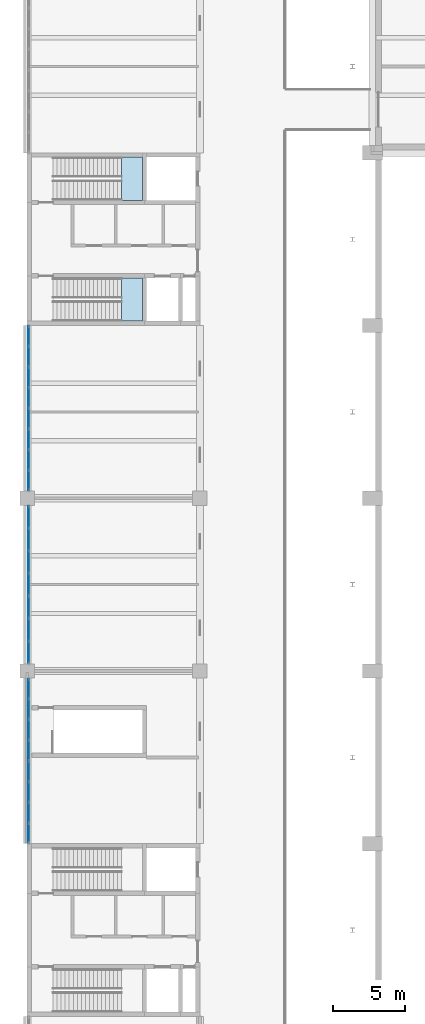
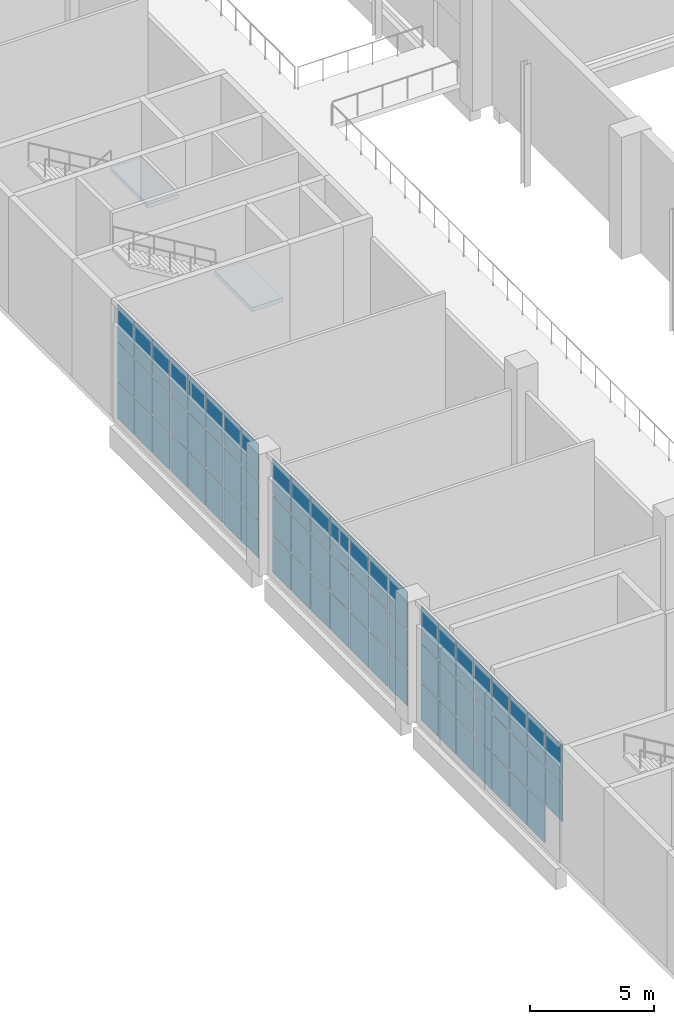
# One storey, part 41 of 72: 68 plates, 2 slabs, 5 elements without a shape of their own.
"""IFC4 building model written with IfcOpenShell, lengths in metres."""

import ifcopenshell
import ifcopenshell.guid

model = None  # the IFC model being written
_history = None  # IfcOwnerHistory: only IFC2X3 demands one
_inside = {}  # id of a spatial element -> (the spatial element, [elements in it])
_under = {}  # id of a project, library or spatial element -> (it, [spatial elements below it])
_declared = {}  # id of a project -> (the project, [libraries it declares])
_typed = {}  # id of a type object -> (the type object, [elements of that type])
_made_of = {}  # id of a material, layer set ... -> (it, [elements and type objects made of it])


def new_model(schema):
    """Start an empty IFC model of exactly this schema.

    Asked for "IFC4X3", IfcOpenShell would pick the latest addendum, in which some entities
    have other attributes; the version numbers below select the first issue.
    IFC2X3 requires an IfcOwnerHistory on every rooted entity: one is made here for all.
    """
    global model, _history
    if schema == "IFC4X3":
        model = ifcopenshell.file(schema_version=(4, 3, 0, 0))
    else:
        model = ifcopenshell.file(schema=schema)
    _inside.clear()
    _under.clear()
    _declared.clear()
    _typed.clear()
    _made_of.clear()
    _history = None
    if model.schema == "IFC2X3":
        org = make("IfcOrganization", Name="unknown")
        user = make(
            "IfcPersonAndOrganization",
            ThePerson=make("IfcPerson", FamilyName="unknown"),
            TheOrganization=org,
        )
        app = make(
            "IfcApplication",
            ApplicationDeveloper=org,
            Version="unknown",
            ApplicationFullName="unknown",
            ApplicationIdentifier="unknown",
        )
        _history = make(
            "IfcOwnerHistory",
            OwningUser=user,
            OwningApplication=app,
            ChangeAction="ADDED",
            CreationDate=0,
        )
    return model


def make(cls, **values):
    """One entity of the class cls with the attributes given. An attribute that is None is left unset."""
    return model.create_entity(
        cls, **{name: value for name, value in values.items() if value is not None}
    )


def rooted(cls, **values):
    """An entity with a GlobalId (a new one), such as an element, a storey or a relation."""
    return make(cls, GlobalId=ifcopenshell.guid.new(), OwnerHistory=_history, **values)


def si_unit(unit_type, name, prefix=None):
    """IfcSIUnit, for example si_unit("LENGTHUNIT", "METRE", prefix="MILLI")."""
    return make("IfcSIUnit", UnitType=unit_type, Prefix=prefix, Name=name)


def assignment(units):
    """IfcUnitAssignment: the units of a project."""
    return None if units is None else make("IfcUnitAssignment", Units=units)


def point(xyz):
    """IfcCartesianPoint."""
    return None if xyz is None else make("IfcCartesianPoint", Coordinates=xyz)


def direction(xyz):
    """IfcDirection."""
    return None if xyz is None else make("IfcDirection", DirectionRatios=xyz)


def frame(location, z_axis=None, x_axis=None):
    """IfcAxis2Placement3D, a coordinate frame: its origin and axes. An axis left out is left unset."""
    return make(
        "IfcAxis2Placement3D",
        Location=point(location),
        Axis=direction(z_axis),
        RefDirection=direction(x_axis),
    )


def frame_2d(location, x_axis=None):
    """IfcAxis2Placement2D, a coordinate frame in the plane: its origin and x axis."""
    return make(
        "IfcAxis2Placement2D", Location=point(location), RefDirection=direction(x_axis)
    )


def origin():
    """The frame at (0, 0, 0) with its axes left unset."""
    return frame((0.0, 0.0, 0.0))


def origin_2d():
    """The frame at (0, 0) in the plane with its x axis left unset."""
    return frame_2d((0.0, 0.0))


def place(relative_to, where):
    """IfcLocalPlacement: puts the frame where relative to a parent placement (None: the world)."""
    return make(
        "IfcLocalPlacement", PlacementRelTo=relative_to, RelativePlacement=where
    )


def context(
    kind, dimensions, precision=None, world=None, true_north=None, identifier=None
):
    """IfcGeometricRepresentationContext, for example the 3D "Model" context."""
    return make(
        "IfcGeometricRepresentationContext",
        ContextIdentifier=identifier,
        ContextType=kind,
        CoordinateSpaceDimension=dimensions,
        Precision=precision,
        WorldCoordinateSystem=world,
        TrueNorth=true_north,
    )


def subcontext(parent, identifier, kind, view, scale=None):
    """IfcGeometricRepresentationSubContext, for example "Body" below "Model"."""
    return make(
        "IfcGeometricRepresentationSubContext",
        ContextIdentifier=identifier,
        ContextType=kind,
        ParentContext=parent,
        TargetScale=scale,
        TargetView=view,
    )


def project(units=None, contexts=None):
    """IfcProject with its units and contexts."""
    return rooted(
        "IfcProject",
        Name="project",
        RepresentationContexts=contexts,
        UnitsInContext=assignment(units),
    )


def spatial(cls, under=None, at=None, **own):
    """A site, building, storey or space (cls), placed at a placement, below another one or the project."""
    s = rooted(cls, ObjectPlacement=at, **own)
    if under is not None:
        _under.setdefault(under.id(), (under, []))[1].append(s)
    return s


def polyline(points):
    """IfcPolyline through the points."""
    return make("IfcPolyline", Points=[point(p) for p in points])


def profile(cls, at=None, kind="AREA", **sizes):
    """A parametric profile (cls). Its sizes go by their IFC names, for example OverallWidth=200.0."""
    return make(cls, ProfileType=kind, Position=at, **sizes)


def rectangle(**sizes):
    """IfcRectangleProfileDef."""
    return profile("IfcRectangleProfileDef", **sizes)


def outline(outer, holes=None, kind="AREA"):
    """IfcArbitraryClosedProfileDef: a profile drawn as a closed curve; with holes, ...WithVoids."""
    if holes is None:
        return make("IfcArbitraryClosedProfileDef", ProfileType=kind, OuterCurve=outer)
    return make(
        "IfcArbitraryProfileDefWithVoids",
        ProfileType=kind,
        OuterCurve=outer,
        InnerCurves=holes,
    )


def extrude(swept, where, along, depth):
    """IfcExtrudedAreaSolid: the profile swept, set in the frame where, extruded along a direction by depth."""
    return make(
        "IfcExtrudedAreaSolid",
        SweptArea=swept,
        Position=where,
        ExtrudedDirection=direction(along),
        Depth=depth,
    )


def shape(context_of_items, identifier, shape_type, items):
    """IfcShapeRepresentation: the items that make up one representation, for example the "Body"."""
    return make(
        "IfcShapeRepresentation",
        ContextOfItems=context_of_items,
        RepresentationIdentifier=identifier,
        RepresentationType=shape_type,
        Items=items,
    )


def material(Name=None, Category=None):
    """IfcMaterial."""
    return make("IfcMaterial", Name=Name, Category=Category)


def layer(
    of_material, thickness, ventilated=None, Name=None, Category=None, Priority=None
):
    """IfcMaterialLayer: one layer of a wall or slab, of a material (None: an air gap)."""
    return make(
        "IfcMaterialLayer",
        Material=of_material,
        LayerThickness=thickness,
        IsVentilated=ventilated,
        Name=Name,
        Category=Category,
        Priority=Priority,
    )


def layer_set(layers, Name=None):
    """IfcMaterialLayerSet."""
    return make("IfcMaterialLayerSet", MaterialLayers=layers, LayerSetName=Name)


def made_of(thing, what):
    """Note that an element or type object is made of a material, layer set ...; save() writes the relation."""
    if what is not None:
        _made_of.setdefault(what.id(), (what, []))[1].append(thing)
    return thing


def type_object(cls, material=None, **own):
    """A type object (cls), such as IfcWallType, which elements share."""
    return made_of(rooted(cls, **own), material)


def element(
    cls,
    number,
    at=None,
    inside=None,
    cuts=None,
    type_object=None,
    material=None,
    context=None,
    identifier="Body",
    shape_type=None,
    held_by="IfcProductDefinitionShape",
    body=None,
    shapes=None,
    **own,
):
    """One element of the class cls, such as IfcWall. Its Tag is "e" and its number.

    at: its placement. inside: the storey or other place that contains it. cuts: it is an
    opening in that element (IfcRelVoidsElement). A single representation is given by context,
    identifier, shape_type and body (its items); several are given by shapes. held_by: the class
    of the entity that holds the representations. save() writes the other relations.
    """
    e = rooted(cls, Tag="e%d" % number, ObjectPlacement=at, **own)
    if body is not None:
        shapes = [shape(context, identifier, shape_type, body)]
    if shapes is not None:
        e.Representation = make(held_by, Representations=shapes)
    if inside is not None:
        _inside.setdefault(inside.id(), (inside, []))[1].append(e)
    if cuts is not None:
        rooted(
            "IfcRelVoidsElement", RelatingBuildingElement=cuts, RelatedOpeningElement=e
        )
    if type_object is not None:
        _typed.setdefault(type_object.id(), (type_object, []))[1].append(e)
    return made_of(e, material)


def aggregate(whole, parts):
    """IfcRelAggregates: a whole, such as a stair, and the parts it consists of."""
    return rooted("IfcRelAggregates", RelatingObject=whole, RelatedObjects=parts)


def save(model, path):
    """Write the relations noted so far, then the file.

    IfcRelAggregates (storeys below a building ...), IfcRelContainedInSpatialStructure (elements
    in a storey), IfcRelDefinesByType, IfcRelAssociatesMaterial and IfcRelDeclares: one each for
    every whole, place, type object, material and project.
    """
    for whole, parts in _under.values():
        aggregate(whole, parts)
    for where, things in _inside.values():
        rooted(
            "IfcRelContainedInSpatialStructure",
            RelatedElements=things,
            RelatingStructure=where,
        )
    for kind, things in _typed.values():
        rooted("IfcRelDefinesByType", RelatedObjects=things, RelatingType=kind)
    for what, things in _made_of.values():
        rooted("IfcRelAssociatesMaterial", RelatedObjects=things, RelatingMaterial=what)
    for by, libraries in _declared.values():
        rooted("IfcRelDeclares", RelatingContext=by, RelatedDefinitions=libraries)
    model.write(path)


model = new_model("IFC4")

# Units and contexts
model_context = context("Model", 3, precision=1e-05, world=origin(), true_north=direction((0.0, 1.0)))
body_context = subcontext(model_context, "Body", "Model", "MODEL_VIEW")
ifc_project = project(units=[si_unit("LENGTHUNIT", "METRE"), si_unit("AREAUNIT", "SQUARE_METRE"), si_unit("VOLUMEUNIT", "CUBIC_METRE"), si_unit("PLANEANGLEUNIT", "RADIAN"), si_unit("MASSUNIT", "GRAM", prefix="KILO")], contexts=[model_context])

# Site, building, storey
site_placement = place(None, origin())
site = spatial("IfcSite", under=ifc_project, at=site_placement, CompositionType="ELEMENT")
building_placement = place(site_placement, origin())
building = spatial("IfcBuilding", under=site, at=building_placement, Name="Lilac Gate Convention Centre", CompositionType="ELEMENT")
storey_placement = place(building_placement, frame((0.0, 0.0, 6.0)))
storey = spatial("IfcBuildingStorey", under=building, at=storey_placement, Name="L01", CompositionType="ELEMENT", Elevation=6.0)

# Curtain wall, plates
ifc_material_1 = material(Name="Aluminium framed double glazing", Category="aluminium")
ifc_layer_1 = layer(ifc_material_1, 0.199951171875)
ifc_layer_set_1 = layer_set([ifc_layer_1], Name="Aluminium framed double glazing")
curtain_wall_type = type_object("IfcCurtainWallType", Name="Unitised curtain wall 1500", PredefinedType="NOTDEFINED", material=ifc_layer_set_1)
curtain_wall_1_placement = place(storey_placement, origin())
curtain_wall_1 = element("IfcCurtainWall", 1, at=curtain_wall_1_placement, inside=storey, type_object=curtain_wall_type, Name="Curtain wall PW L01 9", PredefinedType="NOTDEFINED")
ifc_material_2 = material(Name="Double glazed unit low emissivity")
ifc_layer_2 = layer(ifc_material_2, 0.028076171875)
ifc_layer_set_2 = layer_set([ifc_layer_2], Name="Double glazed unit low emissivity")
plate_type_1 = type_object("IfcPlateType", Name="Curtain wall glass panel 28", PredefinedType="CURTAIN_PANEL", material=ifc_layer_set_2)
plate_1_placement = place(storey_placement, frame((6.10009765625, 89.266357421875, 1.94677734375), z_axis=(0.0, 0.0, 1.0), x_axis=(0.0, -1.0, 0.0)))
plate_1 = element("IfcPlate", 2, at=plate_1_placement, type_object=plate_type_1, Name="CW panel 1.2", PredefinedType="CURTAIN_PANEL", context=body_context, shape_type="SweptSolid", body=[
    extrude(rectangle(XDim=1.347412109375, YDim=0.028076171875, at=origin_2d()), origin(), (0.0, 0.0, 1.0), 1.856689453125),
])
plate_2_placement = place(storey_placement, frame((6.10009765625, 89.266357421875, 3.86328125), z_axis=(0.0, 0.0, 1.0), x_axis=(0.0, -1.0, 0.0)))
plate_2 = element("IfcPlate", 3, at=plate_2_placement, type_object=plate_type_1, Name="CW panel 1.3", PredefinedType="CURTAIN_PANEL", context=body_context, shape_type="SweptSolid", body=[
    extrude(rectangle(XDim=1.347412109375, YDim=0.028076171875, at=origin_2d()), origin(), (0.0, 0.0, 1.0), 1.82666015625),
])
plate_3_placement = place(storey_placement, frame((6.10009765625, 87.84375, 1.94677734375), z_axis=(0.0, 0.0, 1.0), x_axis=(0.0, -1.0, 0.0)))
plate_3 = element("IfcPlate", 4, at=plate_3_placement, type_object=plate_type_1, Name="CW panel 2.2", PredefinedType="CURTAIN_PANEL", context=body_context, shape_type="SweptSolid", body=[
    extrude(rectangle(XDim=1.37744140625, YDim=0.028076171875, at=origin_2d()), origin(), (0.0, 0.0, 1.0), 1.856689453125),
])
plate_4_placement = place(storey_placement, frame((6.10009765625, 87.84375, 3.86328125), z_axis=(0.0, 0.0, 1.0), x_axis=(0.0, -1.0, 0.0)))
plate_4 = element("IfcPlate", 5, at=plate_4_placement, type_object=plate_type_1, Name="CW panel 2.3", PredefinedType="CURTAIN_PANEL", context=body_context, shape_type="SweptSolid", body=[
    extrude(rectangle(XDim=1.37744140625, YDim=0.028076171875, at=origin_2d()), origin(), (0.0, 0.0, 1.0), 1.82666015625),
])
plate_5_placement = place(storey_placement, frame((6.10009765625, 86.40625, 1.94677734375), z_axis=(0.0, 0.0, 1.0), x_axis=(0.0, -1.0, 0.0)))
plate_5 = element("IfcPlate", 6, at=plate_5_placement, type_object=plate_type_1, Name="CW panel 3.2", PredefinedType="CURTAIN_PANEL", context=body_context, shape_type="SweptSolid", body=[
    extrude(rectangle(XDim=1.37744140625, YDim=0.028076171875, at=origin_2d()), origin(), (0.0, 0.0, 1.0), 1.856689453125),
])
plate_6_placement = place(storey_placement, frame((6.10009765625, 86.40625, 3.86328125), z_axis=(0.0, 0.0, 1.0), x_axis=(0.0, -1.0, 0.0)))
plate_6 = element("IfcPlate", 7, at=plate_6_placement, type_object=plate_type_1, Name="CW panel 3.3", PredefinedType="CURTAIN_PANEL", context=body_context, shape_type="SweptSolid", body=[
    extrude(rectangle(XDim=1.37744140625, YDim=0.028076171875, at=origin_2d()), origin(), (0.0, 0.0, 1.0), 1.82666015625),
])
plate_7_placement = place(storey_placement, frame((6.10009765625, 84.96875, 1.94677734375), z_axis=(0.0, 0.0, 1.0), x_axis=(0.0, -1.0, 0.0)))
plate_7 = element("IfcPlate", 8, at=plate_7_placement, type_object=plate_type_1, Name="CW panel 4.2", PredefinedType="CURTAIN_PANEL", context=body_context, shape_type="SweptSolid", body=[
    extrude(rectangle(XDim=1.37744140625, YDim=0.028076171875, at=origin_2d()), origin(), (0.0, 0.0, 1.0), 1.856689453125),
])
plate_8_placement = place(storey_placement, frame((6.10009765625, 84.96875, 3.86328125), z_axis=(0.0, 0.0, 1.0), x_axis=(0.0, -1.0, 0.0)))
plate_8 = element("IfcPlate", 9, at=plate_8_placement, type_object=plate_type_1, Name="CW panel 4.3", PredefinedType="CURTAIN_PANEL", context=body_context, shape_type="SweptSolid", body=[
    extrude(rectangle(XDim=1.37744140625, YDim=0.028076171875, at=origin_2d()), origin(), (0.0, 0.0, 1.0), 1.82666015625),
])
plate_9_placement = place(storey_placement, frame((6.10009765625, 83.53125, 1.94677734375), z_axis=(0.0, 0.0, 1.0), x_axis=(0.0, -1.0, 0.0)))
plate_9 = element("IfcPlate", 10, at=plate_9_placement, type_object=plate_type_1, Name="CW panel 5.2", PredefinedType="CURTAIN_PANEL", context=body_context, shape_type="SweptSolid", body=[
    extrude(rectangle(XDim=1.37744140625, YDim=0.028076171875, at=origin_2d()), origin(), (0.0, 0.0, 1.0), 1.856689453125),
])
plate_10_placement = place(storey_placement, frame((6.10009765625, 83.53125, 3.86328125), z_axis=(0.0, 0.0, 1.0), x_axis=(0.0, -1.0, 0.0)))
plate_10 = element("IfcPlate", 11, at=plate_10_placement, type_object=plate_type_1, Name="CW panel 5.3", PredefinedType="CURTAIN_PANEL", context=body_context, shape_type="SweptSolid", body=[
    extrude(rectangle(XDim=1.37744140625, YDim=0.028076171875, at=origin_2d()), origin(), (0.0, 0.0, 1.0), 1.82666015625),
])
plate_11_placement = place(storey_placement, frame((6.10009765625, 82.09375, 1.94677734375), z_axis=(0.0, 0.0, 1.0), x_axis=(0.0, -1.0, 0.0)))
plate_11 = element("IfcPlate", 12, at=plate_11_placement, type_object=plate_type_1, Name="CW panel 6.2", PredefinedType="CURTAIN_PANEL", context=body_context, shape_type="SweptSolid", body=[
    extrude(rectangle(XDim=1.37744140625, YDim=0.028076171875, at=origin_2d()), origin(), (0.0, 0.0, 1.0), 1.856689453125),
])
plate_12_placement = place(storey_placement, frame((6.10009765625, 82.09375, 3.86328125), z_axis=(0.0, 0.0, 1.0), x_axis=(0.0, -1.0, 0.0)))
plate_12 = element("IfcPlate", 13, at=plate_12_placement, type_object=plate_type_1, Name="CW panel 6.3", PredefinedType="CURTAIN_PANEL", context=body_context, shape_type="SweptSolid", body=[
    extrude(rectangle(XDim=1.37744140625, YDim=0.028076171875, at=origin_2d()), origin(), (0.0, 0.0, 1.0), 1.82666015625),
])
plate_13_placement = place(storey_placement, frame((6.10009765625, 80.65625, 1.94677734375), z_axis=(0.0, 0.0, 1.0), x_axis=(0.0, -1.0, 0.0)))
plate_13 = element("IfcPlate", 14, at=plate_13_placement, type_object=plate_type_1, Name="CW panel 7.2", PredefinedType="CURTAIN_PANEL", context=body_context, shape_type="SweptSolid", body=[
    extrude(rectangle(XDim=1.37744140625, YDim=0.028076171875, at=origin_2d()), origin(), (0.0, 0.0, 1.0), 1.856689453125),
])
plate_14_placement = place(storey_placement, frame((6.10009765625, 80.65625, 3.86328125), z_axis=(0.0, 0.0, 1.0), x_axis=(0.0, -1.0, 0.0)))
plate_14 = element("IfcPlate", 15, at=plate_14_placement, type_object=plate_type_1, Name="CW panel 7.3", PredefinedType="CURTAIN_PANEL", context=body_context, shape_type="SweptSolid", body=[
    extrude(rectangle(XDim=1.37744140625, YDim=0.028076171875, at=origin_2d()), origin(), (0.0, 0.0, 1.0), 1.82666015625),
])
plate_15_placement = place(storey_placement, frame((6.10009765625, 79.233642578125, 1.94677734375), z_axis=(0.0, 0.0, 1.0), x_axis=(0.0, -1.0, 0.0)))
plate_15 = element("IfcPlate", 16, at=plate_15_placement, type_object=plate_type_1, Name="CW panel 8.2", PredefinedType="CURTAIN_PANEL", context=body_context, shape_type="SweptSolid", body=[
    extrude(rectangle(XDim=1.347412109375, YDim=0.028076171875, at=origin_2d()), origin(), (0.0, 0.0, 1.0), 1.856689453125),
])
plate_16_placement = place(storey_placement, frame((6.10009765625, 79.233642578125, 3.86328125), z_axis=(0.0, 0.0, 1.0), x_axis=(0.0, -1.0, 0.0)))
plate_16 = element("IfcPlate", 17, at=plate_16_placement, type_object=plate_type_1, Name="CW panel 8.3", PredefinedType="CURTAIN_PANEL", context=body_context, shape_type="SweptSolid", body=[
    extrude(rectangle(XDim=1.347412109375, YDim=0.028076171875, at=origin_2d()), origin(), (0.0, 0.0, 1.0), 1.82666015625),
])

curtain_wall_2_placement = place(storey_placement, origin())
curtain_wall_2 = element("IfcCurtainWall", 18, at=curtain_wall_2_placement, inside=storey, type_object=curtain_wall_type, Name="Curtain wall PW L01 10", PredefinedType="NOTDEFINED")
plate_17_placement = place(storey_placement, frame((6.10009765625, 76.69921875, 1.94677734375), z_axis=(0.0, 0.0, 1.0), x_axis=(0.0, -1.0, 0.0)))
plate_17 = element("IfcPlate", 19, at=plate_17_placement, type_object=plate_type_1, Name="CW panel 1.2", PredefinedType="CURTAIN_PANEL", context=body_context, shape_type="SweptSolid", body=[
    extrude(rectangle(XDim=1.4814453125, YDim=0.028076171875, at=origin_2d()), origin(), (0.0, 0.0, 1.0), 1.856689453125),
])
plate_18_placement = place(storey_placement, frame((6.10009765625, 76.69921875, 3.86328125), z_axis=(0.0, 0.0, 1.0), x_axis=(0.0, -1.0, 0.0)))
plate_18 = element("IfcPlate", 20, at=plate_18_placement, type_object=plate_type_1, Name="CW panel 1.3", PredefinedType="CURTAIN_PANEL", context=body_context, shape_type="SweptSolid", body=[
    extrude(rectangle(XDim=1.4814453125, YDim=0.028076171875, at=origin_2d()), origin(), (0.0, 0.0, 1.0), 1.82666015625),
])
plate_19_placement = place(storey_placement, frame((6.10009765625, 75.142822265625, 1.94677734375), z_axis=(0.0, 0.0, 1.0), x_axis=(0.0, -1.0, 0.0)))
plate_19 = element("IfcPlate", 21, at=plate_19_placement, type_object=plate_type_1, Name="CW panel 2.2", PredefinedType="CURTAIN_PANEL", context=body_context, shape_type="SweptSolid", body=[
    extrude(rectangle(XDim=1.511474609375, YDim=0.028076171875, at=origin_2d()), origin(), (0.0, 0.0, 1.0), 1.856689453125),
])
plate_20_placement = place(storey_placement, frame((6.10009765625, 75.142822265625, 3.86328125), z_axis=(0.0, 0.0, 1.0), x_axis=(0.0, -1.0, 0.0)))
plate_20 = element("IfcPlate", 22, at=plate_20_placement, type_object=plate_type_1, Name="CW panel 2.3", PredefinedType="CURTAIN_PANEL", context=body_context, shape_type="SweptSolid", body=[
    extrude(rectangle(XDim=1.511474609375, YDim=0.028076171875, at=origin_2d()), origin(), (0.0, 0.0, 1.0), 1.82666015625),
])
plate_21_placement = place(storey_placement, frame((6.10009765625, 73.571533203125, 1.94677734375), z_axis=(0.0, 0.0, 1.0), x_axis=(0.0, -1.0, 0.0)))
plate_21 = element("IfcPlate", 23, at=plate_21_placement, type_object=plate_type_1, Name="CW panel 3.2", PredefinedType="CURTAIN_PANEL", context=body_context, shape_type="SweptSolid", body=[
    extrude(rectangle(XDim=1.511474609375, YDim=0.028076171875, at=origin_2d()), origin(), (0.0, 0.0, 1.0), 1.856689453125),
])
plate_22_placement = place(storey_placement, frame((6.10009765625, 73.571533203125, 3.86328125), z_axis=(0.0, 0.0, 1.0), x_axis=(0.0, -1.0, 0.0)))
plate_22 = element("IfcPlate", 24, at=plate_22_placement, type_object=plate_type_1, Name="CW panel 3.3", PredefinedType="CURTAIN_PANEL", context=body_context, shape_type="SweptSolid", body=[
    extrude(rectangle(XDim=1.511474609375, YDim=0.028076171875, at=origin_2d()), origin(), (0.0, 0.0, 1.0), 1.82666015625),
])
plate_23_placement = place(storey_placement, frame((6.10009765625, 72.0, 1.94677734375), z_axis=(0.0, 0.0, 1.0), x_axis=(0.0, -1.0, 0.0)))
plate_23 = element("IfcPlate", 25, at=plate_23_placement, type_object=plate_type_1, Name="CW panel 4.2", PredefinedType="CURTAIN_PANEL", context=body_context, shape_type="SweptSolid", body=[
    extrude(rectangle(XDim=1.511474609375, YDim=0.028076171875, at=origin_2d()), origin(), (0.0, 0.0, 1.0), 1.856689453125),
])
plate_24_placement = place(storey_placement, frame((6.10009765625, 72.0, 3.86328125), z_axis=(0.0, 0.0, 1.0), x_axis=(0.0, -1.0, 0.0)))
plate_24 = element("IfcPlate", 26, at=plate_24_placement, type_object=plate_type_1, Name="CW panel 4.3", PredefinedType="CURTAIN_PANEL", context=body_context, shape_type="SweptSolid", body=[
    extrude(rectangle(XDim=1.511474609375, YDim=0.028076171875, at=origin_2d()), origin(), (0.0, 0.0, 1.0), 1.82666015625),
])
plate_25_placement = place(storey_placement, frame((6.10009765625, 70.428466796875, 1.94677734375), z_axis=(0.0, 0.0, 1.0), x_axis=(0.0, -1.0, 0.0)))
plate_25 = element("IfcPlate", 27, at=plate_25_placement, type_object=plate_type_1, Name="CW panel 5.2", PredefinedType="CURTAIN_PANEL", context=body_context, shape_type="SweptSolid", body=[
    extrude(rectangle(XDim=1.511474609375, YDim=0.028076171875, at=origin_2d()), origin(), (0.0, 0.0, 1.0), 1.856689453125),
])
plate_26_placement = place(storey_placement, frame((6.10009765625, 70.428466796875, 3.86328125), z_axis=(0.0, 0.0, 1.0), x_axis=(0.0, -1.0, 0.0)))
plate_26 = element("IfcPlate", 28, at=plate_26_placement, type_object=plate_type_1, Name="CW panel 5.3", PredefinedType="CURTAIN_PANEL", context=body_context, shape_type="SweptSolid", body=[
    extrude(rectangle(XDim=1.511474609375, YDim=0.028076171875, at=origin_2d()), origin(), (0.0, 0.0, 1.0), 1.82666015625),
])
plate_27_placement = place(storey_placement, frame((6.10009765625, 68.857177734375, 1.94677734375), z_axis=(0.0, 0.0, 1.0), x_axis=(0.0, -1.0, 0.0)))
plate_27 = element("IfcPlate", 29, at=plate_27_placement, type_object=plate_type_1, Name="CW panel 6.2", PredefinedType="CURTAIN_PANEL", context=body_context, shape_type="SweptSolid", body=[
    extrude(rectangle(XDim=1.511474609375, YDim=0.028076171875, at=origin_2d()), origin(), (0.0, 0.0, 1.0), 1.856689453125),
])
plate_28_placement = place(storey_placement, frame((6.10009765625, 68.857177734375, 3.86328125), z_axis=(0.0, 0.0, 1.0), x_axis=(0.0, -1.0, 0.0)))
plate_28 = element("IfcPlate", 30, at=plate_28_placement, type_object=plate_type_1, Name="CW panel 6.3", PredefinedType="CURTAIN_PANEL", context=body_context, shape_type="SweptSolid", body=[
    extrude(rectangle(XDim=1.511474609375, YDim=0.028076171875, at=origin_2d()), origin(), (0.0, 0.0, 1.0), 1.82666015625),
])
plate_29_placement = place(storey_placement, frame((6.10009765625, 67.30078125, 1.94677734375), z_axis=(0.0, 0.0, 1.0), x_axis=(0.0, -1.0, 0.0)))
plate_29 = element("IfcPlate", 31, at=plate_29_placement, type_object=plate_type_1, Name="CW panel 7.2", PredefinedType="CURTAIN_PANEL", context=body_context, shape_type="SweptSolid", body=[
    extrude(rectangle(XDim=1.4814453125, YDim=0.028076171875, at=origin_2d()), origin(), (0.0, 0.0, 1.0), 1.856689453125),
])
plate_30_placement = place(storey_placement, frame((6.10009765625, 67.30078125, 3.86328125), z_axis=(0.0, 0.0, 1.0), x_axis=(0.0, -1.0, 0.0)))
plate_30 = element("IfcPlate", 32, at=plate_30_placement, type_object=plate_type_1, Name="CW panel 7.3", PredefinedType="CURTAIN_PANEL", context=body_context, shape_type="SweptSolid", body=[
    extrude(rectangle(XDim=1.4814453125, YDim=0.028076171875, at=origin_2d()), origin(), (0.0, 0.0, 1.0), 1.82666015625),
])

curtain_wall_3_placement = place(storey_placement, origin())
curtain_wall_3 = element("IfcCurtainWall", 33, at=curtain_wall_3_placement, inside=storey, type_object=curtain_wall_type, Name="Curtain wall PW L01 11", PredefinedType="NOTDEFINED")
plate_31_placement = place(storey_placement, frame((6.10009765625, 64.766357421875, 1.94677734375), z_axis=(0.0, 0.0, 1.0), x_axis=(0.0, -1.0, 0.0)))
plate_31 = element("IfcPlate", 34, at=plate_31_placement, type_object=plate_type_1, Name="CW panel 1.2", PredefinedType="CURTAIN_PANEL", context=body_context, shape_type="SweptSolid", body=[
    extrude(rectangle(XDim=1.347412109375, YDim=0.028076171875, at=origin_2d()), origin(), (0.0, 0.0, 1.0), 1.856689453125),
])
plate_32_placement = place(storey_placement, frame((6.10009765625, 64.766357421875, 3.86328125), z_axis=(0.0, 0.0, 1.0), x_axis=(0.0, -1.0, 0.0)))
plate_32 = element("IfcPlate", 35, at=plate_32_placement, type_object=plate_type_1, Name="CW panel 1.3", PredefinedType="CURTAIN_PANEL", context=body_context, shape_type="SweptSolid", body=[
    extrude(rectangle(XDim=1.347412109375, YDim=0.028076171875, at=origin_2d()), origin(), (0.0, 0.0, 1.0), 1.82666015625),
])
plate_33_placement = place(storey_placement, frame((6.10009765625, 63.34375, 1.94677734375), z_axis=(0.0, 0.0, 1.0), x_axis=(0.0, -1.0, 0.0)))
plate_33 = element("IfcPlate", 36, at=plate_33_placement, type_object=plate_type_1, Name="CW panel 2.2", PredefinedType="CURTAIN_PANEL", context=body_context, shape_type="SweptSolid", body=[
    extrude(rectangle(XDim=1.37744140625, YDim=0.028076171875, at=origin_2d()), origin(), (0.0, 0.0, 1.0), 1.856689453125),
])
plate_34_placement = place(storey_placement, frame((6.10009765625, 63.34375, 3.86328125), z_axis=(0.0, 0.0, 1.0), x_axis=(0.0, -1.0, 0.0)))
plate_34 = element("IfcPlate", 37, at=plate_34_placement, type_object=plate_type_1, Name="CW panel 2.3", PredefinedType="CURTAIN_PANEL", context=body_context, shape_type="SweptSolid", body=[
    extrude(rectangle(XDim=1.37744140625, YDim=0.028076171875, at=origin_2d()), origin(), (0.0, 0.0, 1.0), 1.82666015625),
])
plate_35_placement = place(storey_placement, frame((6.10009765625, 61.90625, 1.94677734375), z_axis=(0.0, 0.0, 1.0), x_axis=(0.0, -1.0, 0.0)))
plate_35 = element("IfcPlate", 38, at=plate_35_placement, type_object=plate_type_1, Name="CW panel 3.2", PredefinedType="CURTAIN_PANEL", context=body_context, shape_type="SweptSolid", body=[
    extrude(rectangle(XDim=1.37744140625, YDim=0.028076171875, at=origin_2d()), origin(), (0.0, 0.0, 1.0), 1.856689453125),
])
plate_36_placement = place(storey_placement, frame((6.10009765625, 61.90625, 3.86328125), z_axis=(0.0, 0.0, 1.0), x_axis=(0.0, -1.0, 0.0)))
plate_36 = element("IfcPlate", 39, at=plate_36_placement, type_object=plate_type_1, Name="CW panel 3.3", PredefinedType="CURTAIN_PANEL", context=body_context, shape_type="SweptSolid", body=[
    extrude(rectangle(XDim=1.37744140625, YDim=0.028076171875, at=origin_2d()), origin(), (0.0, 0.0, 1.0), 1.82666015625),
])
plate_37_placement = place(storey_placement, frame((6.10009765625, 60.46875, 1.94677734375), z_axis=(0.0, 0.0, 1.0), x_axis=(0.0, -1.0, 0.0)))
plate_37 = element("IfcPlate", 40, at=plate_37_placement, type_object=plate_type_1, Name="CW panel 4.2", PredefinedType="CURTAIN_PANEL", context=body_context, shape_type="SweptSolid", body=[
    extrude(rectangle(XDim=1.37744140625, YDim=0.028076171875, at=origin_2d()), origin(), (0.0, 0.0, 1.0), 1.856689453125),
])
plate_38_placement = place(storey_placement, frame((6.10009765625, 60.46875, 3.86328125), z_axis=(0.0, 0.0, 1.0), x_axis=(0.0, -1.0, 0.0)))
plate_38 = element("IfcPlate", 41, at=plate_38_placement, type_object=plate_type_1, Name="CW panel 4.3", PredefinedType="CURTAIN_PANEL", context=body_context, shape_type="SweptSolid", body=[
    extrude(rectangle(XDim=1.37744140625, YDim=0.028076171875, at=origin_2d()), origin(), (0.0, 0.0, 1.0), 1.82666015625),
])
plate_39_placement = place(storey_placement, frame((6.10009765625, 59.03125, 1.94677734375), z_axis=(0.0, 0.0, 1.0), x_axis=(0.0, -1.0, 0.0)))
plate_39 = element("IfcPlate", 42, at=plate_39_placement, type_object=plate_type_1, Name="CW panel 5.2", PredefinedType="CURTAIN_PANEL", context=body_context, shape_type="SweptSolid", body=[
    extrude(rectangle(XDim=1.37744140625, YDim=0.028076171875, at=origin_2d()), origin(), (0.0, 0.0, 1.0), 1.856689453125),
])
plate_40_placement = place(storey_placement, frame((6.10009765625, 59.03125, 3.86328125), z_axis=(0.0, 0.0, 1.0), x_axis=(0.0, -1.0, 0.0)))
plate_40 = element("IfcPlate", 43, at=plate_40_placement, type_object=plate_type_1, Name="CW panel 5.3", PredefinedType="CURTAIN_PANEL", context=body_context, shape_type="SweptSolid", body=[
    extrude(rectangle(XDim=1.37744140625, YDim=0.028076171875, at=origin_2d()), origin(), (0.0, 0.0, 1.0), 1.82666015625),
])
plate_41_placement = place(storey_placement, frame((6.10009765625, 57.59375, 1.94677734375), z_axis=(0.0, 0.0, 1.0), x_axis=(0.0, -1.0, 0.0)))
plate_41 = element("IfcPlate", 44, at=plate_41_placement, type_object=plate_type_1, Name="CW panel 6.2", PredefinedType="CURTAIN_PANEL", context=body_context, shape_type="SweptSolid", body=[
    extrude(rectangle(XDim=1.37744140625, YDim=0.028076171875, at=origin_2d()), origin(), (0.0, 0.0, 1.0), 1.856689453125),
])
plate_42_placement = place(storey_placement, frame((6.10009765625, 57.59375, 3.86328125), z_axis=(0.0, 0.0, 1.0), x_axis=(0.0, -1.0, 0.0)))
plate_42 = element("IfcPlate", 45, at=plate_42_placement, type_object=plate_type_1, Name="CW panel 6.3", PredefinedType="CURTAIN_PANEL", context=body_context, shape_type="SweptSolid", body=[
    extrude(rectangle(XDim=1.37744140625, YDim=0.028076171875, at=origin_2d()), origin(), (0.0, 0.0, 1.0), 1.82666015625),
])
plate_43_placement = place(storey_placement, frame((6.10009765625, 56.15625, 1.94677734375), z_axis=(0.0, 0.0, 1.0), x_axis=(0.0, -1.0, 0.0)))
plate_43 = element("IfcPlate", 46, at=plate_43_placement, type_object=plate_type_1, Name="CW panel 7.2", PredefinedType="CURTAIN_PANEL", context=body_context, shape_type="SweptSolid", body=[
    extrude(rectangle(XDim=1.37744140625, YDim=0.028076171875, at=origin_2d()), origin(), (0.0, 0.0, 1.0), 1.856689453125),
])
plate_44_placement = place(storey_placement, frame((6.10009765625, 56.15625, 3.86328125), z_axis=(0.0, 0.0, 1.0), x_axis=(0.0, -1.0, 0.0)))
plate_44 = element("IfcPlate", 47, at=plate_44_placement, type_object=plate_type_1, Name="CW panel 7.3", PredefinedType="CURTAIN_PANEL", context=body_context, shape_type="SweptSolid", body=[
    extrude(rectangle(XDim=1.37744140625, YDim=0.028076171875, at=origin_2d()), origin(), (0.0, 0.0, 1.0), 1.82666015625),
])
plate_45_placement = place(storey_placement, frame((6.10009765625, 54.733642578125, 1.94677734375), z_axis=(0.0, 0.0, 1.0), x_axis=(0.0, -1.0, 0.0)))
plate_45 = element("IfcPlate", 48, at=plate_45_placement, type_object=plate_type_1, Name="CW panel 8.2", PredefinedType="CURTAIN_PANEL", context=body_context, shape_type="SweptSolid", body=[
    extrude(rectangle(XDim=1.347412109375, YDim=0.028076171875, at=origin_2d()), origin(), (0.0, 0.0, 1.0), 1.856689453125),
])
plate_46_placement = place(storey_placement, frame((6.10009765625, 54.733642578125, 3.86328125), z_axis=(0.0, 0.0, 1.0), x_axis=(0.0, -1.0, 0.0)))
plate_46 = element("IfcPlate", 49, at=plate_46_placement, type_object=plate_type_1, Name="CW panel 8.3", PredefinedType="CURTAIN_PANEL", context=body_context, shape_type="SweptSolid", body=[
    extrude(rectangle(XDim=1.347412109375, YDim=0.028076171875, at=origin_2d()), origin(), (0.0, 0.0, 1.0), 1.82666015625),
])

# Plate
ifc_material_3 = material(Name="Insulated aluminium spandrel panel", Category="aluminium")
ifc_layer_3 = layer(ifc_material_3, 0.028076171875)
ifc_layer_set_3 = layer_set([ifc_layer_3], Name="Insulated aluminium spandrel panel")
plate_type_2 = type_object("IfcPlateType", Name="Curtain wall spandrel panel 28", PredefinedType="CURTAIN_PANEL", material=ifc_layer_set_3)
plate_47_placement = place(storey_placement, frame((6.10009765625, 89.266357421875, 0.06005859375), z_axis=(0.0, 0.0, 1.0), x_axis=(0.0, -1.0, 0.0)))
plate_47 = element("IfcPlate", 50, at=plate_47_placement, type_object=plate_type_2, Name="CW spandrel 1.1", PredefinedType="CURTAIN_PANEL", context=body_context, shape_type="SweptSolid", body=[
    extrude(rectangle(XDim=1.347412109375, YDim=0.028076171875, at=origin_2d()), origin(), (0.0, 0.0, 1.0), 1.82666015625),
])

plate_48_placement = place(storey_placement, frame((6.10009765625, 87.84375, 0.06005859375), z_axis=(0.0, 0.0, 1.0), x_axis=(0.0, -1.0, 0.0)))
plate_48 = element("IfcPlate", 51, at=plate_48_placement, type_object=plate_type_2, Name="CW spandrel 2.1", PredefinedType="CURTAIN_PANEL", context=body_context, shape_type="SweptSolid", body=[
    extrude(rectangle(XDim=1.37744140625, YDim=0.028076171875, at=origin_2d()), origin(), (0.0, 0.0, 1.0), 1.82666015625),
])

plate_49_placement = place(storey_placement, frame((6.10009765625, 86.40625, 0.06005859375), z_axis=(0.0, 0.0, 1.0), x_axis=(0.0, -1.0, 0.0)))
plate_49 = element("IfcPlate", 52, at=plate_49_placement, type_object=plate_type_2, Name="CW spandrel 3.1", PredefinedType="CURTAIN_PANEL", context=body_context, shape_type="SweptSolid", body=[
    extrude(rectangle(XDim=1.37744140625, YDim=0.028076171875, at=origin_2d()), origin(), (0.0, 0.0, 1.0), 1.82666015625),
])

plate_50_placement = place(storey_placement, frame((6.10009765625, 84.96875, 0.06005859375), z_axis=(0.0, 0.0, 1.0), x_axis=(0.0, -1.0, 0.0)))
plate_50 = element("IfcPlate", 53, at=plate_50_placement, type_object=plate_type_2, Name="CW spandrel 4.1", PredefinedType="CURTAIN_PANEL", context=body_context, shape_type="SweptSolid", body=[
    extrude(rectangle(XDim=1.37744140625, YDim=0.028076171875, at=origin_2d()), origin(), (0.0, 0.0, 1.0), 1.82666015625),
])

plate_51_placement = place(storey_placement, frame((6.10009765625, 83.53125, 0.06005859375), z_axis=(0.0, 0.0, 1.0), x_axis=(0.0, -1.0, 0.0)))
plate_51 = element("IfcPlate", 54, at=plate_51_placement, type_object=plate_type_2, Name="CW spandrel 5.1", PredefinedType="CURTAIN_PANEL", context=body_context, shape_type="SweptSolid", body=[
    extrude(rectangle(XDim=1.37744140625, YDim=0.028076171875, at=origin_2d()), origin(), (0.0, 0.0, 1.0), 1.82666015625),
])

plate_52_placement = place(storey_placement, frame((6.10009765625, 82.09375, 0.06005859375), z_axis=(0.0, 0.0, 1.0), x_axis=(0.0, -1.0, 0.0)))
plate_52 = element("IfcPlate", 55, at=plate_52_placement, type_object=plate_type_2, Name="CW spandrel 6.1", PredefinedType="CURTAIN_PANEL", context=body_context, shape_type="SweptSolid", body=[
    extrude(rectangle(XDim=1.37744140625, YDim=0.028076171875, at=origin_2d()), origin(), (0.0, 0.0, 1.0), 1.82666015625),
])

plate_53_placement = place(storey_placement, frame((6.10009765625, 80.65625, 0.06005859375), z_axis=(0.0, 0.0, 1.0), x_axis=(0.0, -1.0, 0.0)))
plate_53 = element("IfcPlate", 56, at=plate_53_placement, type_object=plate_type_2, Name="CW spandrel 7.1", PredefinedType="CURTAIN_PANEL", context=body_context, shape_type="SweptSolid", body=[
    extrude(rectangle(XDim=1.37744140625, YDim=0.028076171875, at=origin_2d()), origin(), (0.0, 0.0, 1.0), 1.82666015625),
])

plate_54_placement = place(storey_placement, frame((6.10009765625, 79.233642578125, 0.06005859375), z_axis=(0.0, 0.0, 1.0), x_axis=(0.0, -1.0, 0.0)))
plate_54 = element("IfcPlate", 57, at=plate_54_placement, type_object=plate_type_2, Name="CW spandrel 8.1", PredefinedType="CURTAIN_PANEL", context=body_context, shape_type="SweptSolid", body=[
    extrude(rectangle(XDim=1.347412109375, YDim=0.028076171875, at=origin_2d()), origin(), (0.0, 0.0, 1.0), 1.82666015625),
])

aggregate(curtain_wall_1, [plate_47, plate_1, plate_2, plate_48, plate_3, plate_4, plate_49, plate_5, plate_6, plate_50, plate_7, plate_8, plate_51, plate_9, plate_10, plate_52, plate_11, plate_12, plate_53, plate_13, plate_14, plate_54, plate_15, plate_16])

plate_55_placement = place(storey_placement, frame((6.10009765625, 76.69921875, 0.06005859375), z_axis=(0.0, 0.0, 1.0), x_axis=(0.0, -1.0, 0.0)))
plate_55 = element("IfcPlate", 58, at=plate_55_placement, type_object=plate_type_2, Name="CW spandrel 1.1", PredefinedType="CURTAIN_PANEL", context=body_context, shape_type="SweptSolid", body=[
    extrude(rectangle(XDim=1.4814453125, YDim=0.028076171875, at=origin_2d()), origin(), (0.0, 0.0, 1.0), 1.82666015625),
])

plate_56_placement = place(storey_placement, frame((6.10009765625, 75.142822265625, 0.06005859375), z_axis=(0.0, 0.0, 1.0), x_axis=(0.0, -1.0, 0.0)))
plate_56 = element("IfcPlate", 59, at=plate_56_placement, type_object=plate_type_2, Name="CW spandrel 2.1", PredefinedType="CURTAIN_PANEL", context=body_context, shape_type="SweptSolid", body=[
    extrude(rectangle(XDim=1.511474609375, YDim=0.028076171875, at=origin_2d()), origin(), (0.0, 0.0, 1.0), 1.82666015625),
])

plate_57_placement = place(storey_placement, frame((6.10009765625, 73.571533203125, 0.06005859375), z_axis=(0.0, 0.0, 1.0), x_axis=(0.0, -1.0, 0.0)))
plate_57 = element("IfcPlate", 60, at=plate_57_placement, type_object=plate_type_2, Name="CW spandrel 3.1", PredefinedType="CURTAIN_PANEL", context=body_context, shape_type="SweptSolid", body=[
    extrude(rectangle(XDim=1.511474609375, YDim=0.028076171875, at=origin_2d()), origin(), (0.0, 0.0, 1.0), 1.82666015625),
])

plate_58_placement = place(storey_placement, frame((6.10009765625, 72.0, 0.06005859375), z_axis=(0.0, 0.0, 1.0), x_axis=(0.0, -1.0, 0.0)))
plate_58 = element("IfcPlate", 61, at=plate_58_placement, type_object=plate_type_2, Name="CW spandrel 4.1", PredefinedType="CURTAIN_PANEL", context=body_context, shape_type="SweptSolid", body=[
    extrude(rectangle(XDim=1.511474609375, YDim=0.028076171875, at=origin_2d()), origin(), (0.0, 0.0, 1.0), 1.82666015625),
])

plate_59_placement = place(storey_placement, frame((6.10009765625, 70.428466796875, 0.06005859375), z_axis=(0.0, 0.0, 1.0), x_axis=(0.0, -1.0, 0.0)))
plate_59 = element("IfcPlate", 62, at=plate_59_placement, type_object=plate_type_2, Name="CW spandrel 5.1", PredefinedType="CURTAIN_PANEL", context=body_context, shape_type="SweptSolid", body=[
    extrude(rectangle(XDim=1.511474609375, YDim=0.028076171875, at=origin_2d()), origin(), (0.0, 0.0, 1.0), 1.82666015625),
])

plate_60_placement = place(storey_placement, frame((6.10009765625, 68.857177734375, 0.06005859375), z_axis=(0.0, 0.0, 1.0), x_axis=(0.0, -1.0, 0.0)))
plate_60 = element("IfcPlate", 63, at=plate_60_placement, type_object=plate_type_2, Name="CW spandrel 6.1", PredefinedType="CURTAIN_PANEL", context=body_context, shape_type="SweptSolid", body=[
    extrude(rectangle(XDim=1.511474609375, YDim=0.028076171875, at=origin_2d()), origin(), (0.0, 0.0, 1.0), 1.82666015625),
])

plate_61_placement = place(storey_placement, frame((6.10009765625, 67.30078125, 0.06005859375), z_axis=(0.0, 0.0, 1.0), x_axis=(0.0, -1.0, 0.0)))
plate_61 = element("IfcPlate", 64, at=plate_61_placement, type_object=plate_type_2, Name="CW spandrel 7.1", PredefinedType="CURTAIN_PANEL", context=body_context, shape_type="SweptSolid", body=[
    extrude(rectangle(XDim=1.4814453125, YDim=0.028076171875, at=origin_2d()), origin(), (0.0, 0.0, 1.0), 1.82666015625),
])

aggregate(curtain_wall_2, [plate_55, plate_17, plate_18, plate_56, plate_19, plate_20, plate_57, plate_21, plate_22, plate_58, plate_23, plate_24, plate_59, plate_25, plate_26, plate_60, plate_27, plate_28, plate_61, plate_29, plate_30])

plate_62_placement = place(storey_placement, frame((6.10009765625, 64.766357421875, 0.06005859375), z_axis=(0.0, 0.0, 1.0), x_axis=(0.0, -1.0, 0.0)))
plate_62 = element("IfcPlate", 65, at=plate_62_placement, type_object=plate_type_2, Name="CW spandrel 1.1", PredefinedType="CURTAIN_PANEL", context=body_context, shape_type="SweptSolid", body=[
    extrude(rectangle(XDim=1.347412109375, YDim=0.028076171875, at=origin_2d()), origin(), (0.0, 0.0, 1.0), 1.82666015625),
])

plate_63_placement = place(storey_placement, frame((6.10009765625, 63.34375, 0.06005859375), z_axis=(0.0, 0.0, 1.0), x_axis=(0.0, -1.0, 0.0)))
plate_63 = element("IfcPlate", 66, at=plate_63_placement, type_object=plate_type_2, Name="CW spandrel 2.1", PredefinedType="CURTAIN_PANEL", context=body_context, shape_type="SweptSolid", body=[
    extrude(rectangle(XDim=1.37744140625, YDim=0.028076171875, at=origin_2d()), origin(), (0.0, 0.0, 1.0), 1.82666015625),
])

plate_64_placement = place(storey_placement, frame((6.10009765625, 61.90625, 0.06005859375), z_axis=(0.0, 0.0, 1.0), x_axis=(0.0, -1.0, 0.0)))
plate_64 = element("IfcPlate", 67, at=plate_64_placement, type_object=plate_type_2, Name="CW spandrel 3.1", PredefinedType="CURTAIN_PANEL", context=body_context, shape_type="SweptSolid", body=[
    extrude(rectangle(XDim=1.37744140625, YDim=0.028076171875, at=origin_2d()), origin(), (0.0, 0.0, 1.0), 1.82666015625),
])

plate_65_placement = place(storey_placement, frame((6.10009765625, 60.46875, 0.06005859375), z_axis=(0.0, 0.0, 1.0), x_axis=(0.0, -1.0, 0.0)))
plate_65 = element("IfcPlate", 68, at=plate_65_placement, type_object=plate_type_2, Name="CW spandrel 4.1", PredefinedType="CURTAIN_PANEL", context=body_context, shape_type="SweptSolid", body=[
    extrude(rectangle(XDim=1.37744140625, YDim=0.028076171875, at=origin_2d()), origin(), (0.0, 0.0, 1.0), 1.82666015625),
])

plate_66_placement = place(storey_placement, frame((6.10009765625, 59.03125, 0.06005859375), z_axis=(0.0, 0.0, 1.0), x_axis=(0.0, -1.0, 0.0)))
plate_66 = element("IfcPlate", 69, at=plate_66_placement, type_object=plate_type_2, Name="CW spandrel 5.1", PredefinedType="CURTAIN_PANEL", context=body_context, shape_type="SweptSolid", body=[
    extrude(rectangle(XDim=1.37744140625, YDim=0.028076171875, at=origin_2d()), origin(), (0.0, 0.0, 1.0), 1.82666015625),
])

plate_67_placement = place(storey_placement, frame((6.10009765625, 57.59375, 0.06005859375), z_axis=(0.0, 0.0, 1.0), x_axis=(0.0, -1.0, 0.0)))
plate_67 = element("IfcPlate", 70, at=plate_67_placement, type_object=plate_type_2, Name="CW spandrel 6.1", PredefinedType="CURTAIN_PANEL", context=body_context, shape_type="SweptSolid", body=[
    extrude(rectangle(XDim=1.37744140625, YDim=0.028076171875, at=origin_2d()), origin(), (0.0, 0.0, 1.0), 1.82666015625),
])

plate_68_placement = place(storey_placement, frame((6.10009765625, 56.15625, 0.06005859375), z_axis=(0.0, 0.0, 1.0), x_axis=(0.0, -1.0, 0.0)))
plate_68 = element("IfcPlate", 71, at=plate_68_placement, type_object=plate_type_2, Name="CW spandrel 7.1", PredefinedType="CURTAIN_PANEL", context=body_context, shape_type="SweptSolid", body=[
    extrude(rectangle(XDim=1.37744140625, YDim=0.028076171875, at=origin_2d()), origin(), (0.0, 0.0, 1.0), 1.82666015625),
])

aggregate(curtain_wall_3, [plate_62, plate_31, plate_32, plate_63, plate_33, plate_34, plate_64, plate_35, plate_36, plate_65, plate_37, plate_38, plate_66, plate_39, plate_40, plate_67, plate_41, plate_42, plate_68, plate_43, plate_44, plate_45, plate_46])

# Stair, slab
ifc_material_4 = material(Name="Concrete C40", Category="concrete")
stair_type = type_object("IfcStairType", Name="Exit stair two flights", PredefinedType="HALF_TURN_STAIR", material=ifc_material_4)
stair_1_placement = place(storey_placement, origin())
stair_1 = element("IfcStair", 72, at=stair_1_placement, inside=storey, type_object=stair_type, Name="Exit stair W2A L01 to L02", PredefinedType="HALF_TURN_STAIR")
ifc_layer_4 = layer(ifc_material_4, 0.199951171875)
ifc_layer_set_4 = layer_set([ifc_layer_4], Name="Concrete C40")
slab_type = type_object("IfcSlabType", Name="Stair landing 200 precast", PredefinedType="LANDING", material=ifc_layer_set_4)
slab_1_placement = place(storey_placement, frame((0.0, 0.0, 2.800048828125)))
slab_1 = element("IfcSlab", 73, at=slab_1_placement, type_object=slab_type, Name="ST9 landing 1", PredefinedType="LANDING", context=body_context, shape_type="SweptSolid", body=[
    extrude(outline(polyline([(12.56005859375, 90.300048828125), (14.0, 90.300048828125), (14.0, 93.300048828125), (12.56005859375, 93.300048828125), (12.56005859375, 90.300048828125)])), origin(), (0.0, 0.0, 1.0), 0.199951171875),
])
aggregate(stair_1, [slab_1])

stair_2_placement = place(storey_placement, origin())
stair_2 = element("IfcStair", 74, at=stair_2_placement, inside=storey, type_object=stair_type, Name="Exit stair W2B L01 to L02", PredefinedType="HALF_TURN_STAIR")
slab_2_placement = place(storey_placement, frame((0.0, 0.0, 2.800048828125)))
slab_2 = element("IfcSlab", 75, at=slab_2_placement, type_object=slab_type, Name="ST10 landing 1", PredefinedType="LANDING", context=body_context, shape_type="SweptSolid", body=[
    extrude(outline(polyline([(12.56005859375, 98.699951171875), (14.0, 98.699951171875), (14.0, 101.699951171875), (12.56005859375, 101.699951171875), (12.56005859375, 98.699951171875)])), origin(), (0.0, 0.0, 1.0), 0.199951171875),
])
aggregate(stair_2, [slab_2])

save(model, "model.ifc")
